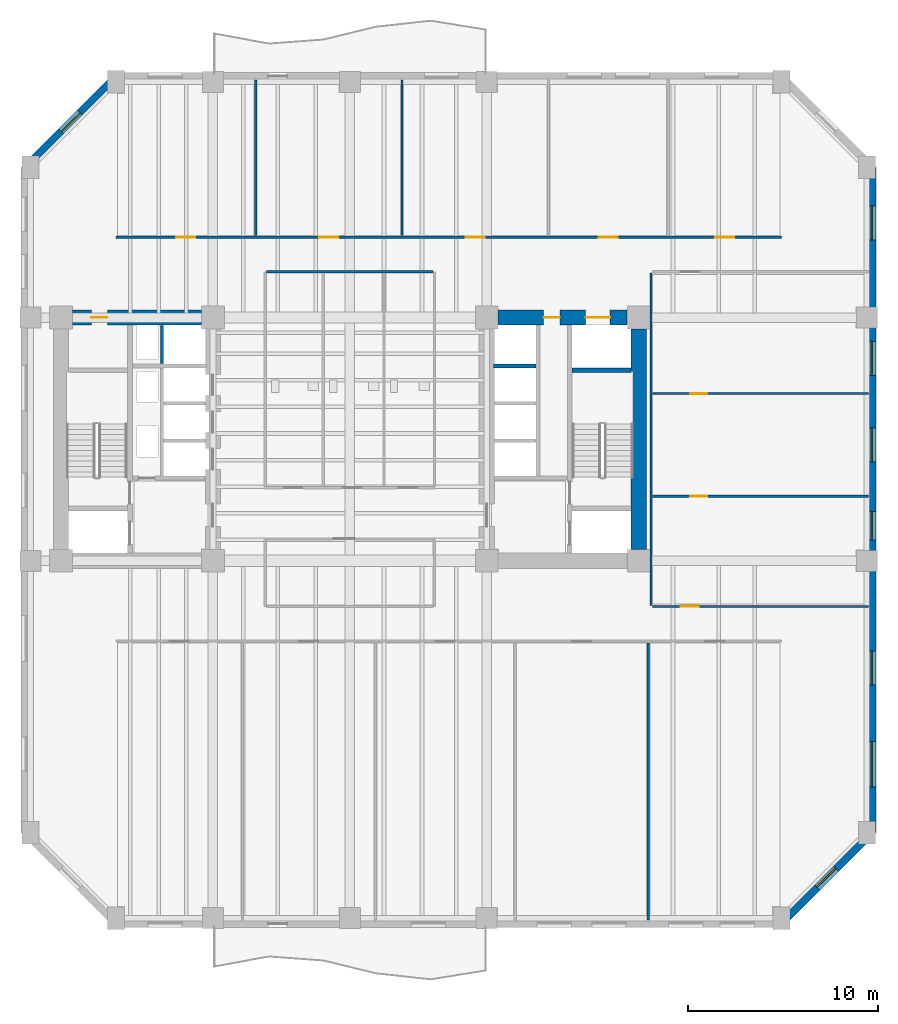
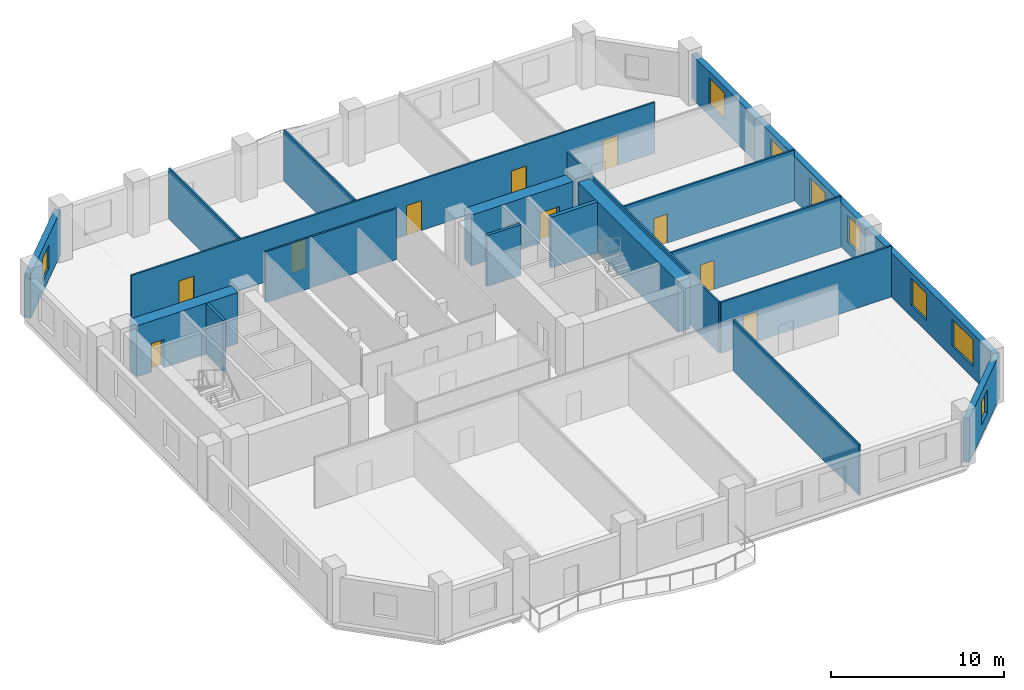
# One storey, part 4 of 9: 18 walls, 11 doors, 8 windows, 19 openings.
"""IFC4 building model written with IfcOpenShell, lengths in metres."""

from ifc_helpers import new_model, si_unit, direction, frame, frame_2d, origin, place, context, subcontext, project, spatial, rectangle, extrude, material, layer, layer_set, type_object, element, fill, save


model = new_model("IFC4")

# Units and contexts
model_context = context("Model", 3, precision=1e-05, world=origin(), true_north=direction((0.0, 1.0)))
body_context = subcontext(model_context, "Body", "Model", "MODEL_VIEW")
ifc_project = project(units=[si_unit("LENGTHUNIT", "METRE"), si_unit("AREAUNIT", "SQUARE_METRE"), si_unit("VOLUMEUNIT", "CUBIC_METRE"), si_unit("PLANEANGLEUNIT", "RADIAN"), si_unit("MASSUNIT", "GRAM", prefix="KILO")], contexts=[model_context])

# Site, building, storey
site_placement = place(None, origin())
site = spatial("IfcSite", under=ifc_project, at=site_placement, CompositionType="ELEMENT")
building_placement = place(site_placement, origin())
building = spatial("IfcBuilding", under=site, at=building_placement, Name="Kranthara Brick Stack", CompositionType="ELEMENT")
storey_placement = place(building_placement, frame((0.0, 0.0, 59.39990234375)))
storey = spatial("IfcBuildingStorey", under=building, at=storey_placement, Name="L14", CompositionType="ELEMENT", Elevation=59.39990234375)

# Wall, opening, window
ifc_material_1 = material(Name="Kiln-fired clay brick masonry M15", Category="masonry")
ifc_layer_1 = layer(ifc_material_1, 0.3798828125)
ifc_layer_set_1 = layer_set([ifc_layer_1], Name="Kiln-fired clay brick masonry M15")
wall_type_1 = type_object("IfcWallType", Name="WL-BRK-PIER-380", PredefinedType="STANDARD", material=ifc_layer_set_1)
wall_1_placement = place(storey_placement, frame((10.909912109375, 41.5, 0.0), z_axis=(0.0, 0.0, 1.0), x_axis=(0.707106781187, 0.707106781187, 0.0)))
wall_1 = element("IfcWall", 1, at=wall_1_placement, inside=storey, type_object=wall_type_1, Name="L14 Exterior Brick Facade Wall NW 1", PredefinedType="STANDARD", context=body_context, shape_type="SweptSolid", body=[
    extrude(rectangle(XDim=6.774169921875, YDim=0.3798828125, at=frame_2d((3.38720703125, 0.0))), origin(), (0.0, 0.0, 1.0), 3.135009765625),
])
opening_1_placement = place(wall_1_placement, frame((2.68701171875, 0.0, 0.800048828125)))
opening_1 = element("IfcOpeningElement", 2, at=opening_1_placement, cuts=wall_1, Name="Opening WN10", PredefinedType="OPENING", context=body_context, shape_type="SweptSolid", body=[
    extrude(rectangle(XDim=1.39990234375, YDim=1.64990234375, at=frame_2d((0.699951171875, 0.824951171875))), frame((0.0, 0.199951171875, 0.0), z_axis=(0.0, -1.0, 0.0), x_axis=(1.0, 0.0, 0.0)), (0.0, 0.0, 1.0), 0.39990234375),
])
ifc_material_2 = material(Name="Double-glazed low-E solar control glass", Category="glass")
window_type_1 = type_object("IfcWindowType", Name="WN-CHM-1400x1750", PartitioningType="SINGLE_PANEL", PredefinedType="WINDOW", material=ifc_material_2)
window_1_placement = place(opening_1_placement, origin())
window_1 = element("IfcWindow", 3, at=window_1_placement, inside=storey, type_object=window_type_1, Name="L14 NW Chamfer Corner Window", OverallHeight=1.64990234375, OverallWidth=1.39990234375, PartitioningType="SINGLE_PANEL", PredefinedType="WINDOW", context=body_context, shape_type="SweptSolid", body=[
    extrude(rectangle(XDim=1.39990234375, YDim=1.64990234375, at=frame_2d((0.699951171875, 0.824951171875))), frame((0.0, -0.010009765625, 0.0), z_axis=(0.0, -1.0, 0.0), x_axis=(1.0, 0.0, 0.0)), (0.0, 0.0, 1.0), 0.06005859375),
])
fill(opening_1, window_1)

# Wall, openings, windows
wall_2_placement = place(storey_placement, frame((55.489990234375, 41.5, 0.0), z_axis=(0.0, 0.0, 1.0), x_axis=(0.0, -1.0, 0.0)))
wall_2 = element("IfcWall", 4, at=wall_2_placement, inside=storey, type_object=wall_type_1, Name="L14 Exterior Brick Facade Wall EAST 1", PredefinedType="STANDARD", context=body_context, shape_type="SweptSolid", body=[
    extrude(rectangle(XDim=35.0, YDim=0.3798828125, at=frame_2d((17.5, 0.0))), origin(), (0.0, 0.0, 1.0), 3.135009765625),
])
opening_2_placement = place(wall_2_placement, frame((2.02490234375, 0.0, 0.800048828125)))
opening_2 = element("IfcOpeningElement", 5, at=opening_2_placement, cuts=wall_2, Name="Opening WN01", PredefinedType="OPENING", context=body_context, shape_type="SweptSolid", body=[
    extrude(rectangle(XDim=1.800048828125, YDim=1.89990234375, at=frame_2d((0.89990234375, 0.949951171875))), frame((0.0, 0.199951171875, 0.0), z_axis=(0.0, -1.0, 0.0), x_axis=(1.0, 0.0, 0.0)), (0.0, 0.0, 1.0), 0.39990234375),
])
opening_3_placement = place(wall_2_placement, frame((9.14990234375, 0.0, 0.800048828125)))
opening_3 = element("IfcOpeningElement", 6, at=opening_3_placement, cuts=wall_2, Name="Opening WN01", PredefinedType="OPENING", context=body_context, shape_type="SweptSolid", body=[
    extrude(rectangle(XDim=1.800048828125, YDim=1.89990234375, at=frame_2d((0.89990234375, 0.949951171875))), frame((0.0, 0.199951171875, 0.0), z_axis=(0.0, -1.0, 0.0), x_axis=(1.0, 0.0, 0.0)), (0.0, 0.0, 1.0), 0.39990234375),
])
opening_4_placement = place(wall_2_placement, frame((13.699951171875, 0.0, 0.800048828125)))
opening_4 = element("IfcOpeningElement", 7, at=opening_4_placement, cuts=wall_2, Name="Opening WN01", PredefinedType="OPENING", context=body_context, shape_type="SweptSolid", body=[
    extrude(rectangle(XDim=1.800048828125, YDim=1.89990234375, at=frame_2d((0.89990234375, 0.949951171875))), frame((0.0, 0.199951171875, 0.0), z_axis=(0.0, -1.0, 0.0), x_axis=(1.0, 0.0, 0.0)), (0.0, 0.0, 1.0), 0.39990234375),
])
opening_5_placement = place(wall_2_placement, frame((18.10009765625, 0.0, 0.800048828125)))
opening_5 = element("IfcOpeningElement", 8, at=opening_5_placement, cuts=wall_2, Name="Opening WN03", PredefinedType="OPENING", context=body_context, shape_type="SweptSolid", body=[
    extrude(rectangle(XDim=1.5, YDim=1.89990234375, at=frame_2d((0.75, 0.949951171875))), frame((0.0, 0.199951171875, 0.0), z_axis=(0.0, -1.0, 0.0), x_axis=(1.0, 0.0, 0.0)), (0.0, 0.0, 1.0), 0.39990234375),
])
opening_6_placement = place(wall_2_placement, frame((25.443115234375, 0.0, 0.800048828125)))
opening_6 = element("IfcOpeningElement", 9, at=opening_6_placement, cuts=wall_2, Name="Opening WN01", PredefinedType="OPENING", context=body_context, shape_type="SweptSolid", body=[
    extrude(rectangle(XDim=1.800048828125, YDim=1.89990234375, at=frame_2d((0.89990234375, 0.949951171875))), frame((0.0, 0.199951171875, 0.0), z_axis=(0.0, -1.0, 0.0), x_axis=(1.0, 0.0, 0.0)), (0.0, 0.0, 1.0), 0.39990234375),
])
opening_7_placement = place(wall_2_placement, frame((30.20703125, 0.0, 0.800048828125)))
opening_7 = element("IfcOpeningElement", 10, at=opening_7_placement, cuts=wall_2, Name="Opening WN02", PredefinedType="OPENING", context=body_context, shape_type="SweptSolid", body=[
    extrude(rectangle(XDim=2.39990234375, YDim=1.89990234375, at=frame_2d((1.199951171875, 0.949951171875))), frame((0.0, 0.199951171875, 0.0), z_axis=(0.0, -1.0, 0.0), x_axis=(1.0, 0.0, 0.0)), (0.0, 0.0, 1.0), 0.39990234375),
])
ifc_material_3 = material(Name="Double-glazed low-E solar control glass", Category="glass")
window_type_2 = type_object("IfcWindowType", Name="WN-OFF-1500x2000", PartitioningType="SINGLE_PANEL", PredefinedType="WINDOW", material=ifc_material_3)
window_2_placement = place(opening_5_placement, origin())
window_2 = element("IfcWindow", 11, at=window_2_placement, inside=storey, type_object=window_type_2, Name="L14 East Deep-Set Brick Window 04", OverallHeight=1.89990234375, OverallWidth=1.5, PartitioningType="SINGLE_PANEL", PredefinedType="WINDOW", context=body_context, shape_type="SweptSolid", body=[
    extrude(rectangle(XDim=1.5, YDim=1.89990234375, at=frame_2d((0.75, 0.949951171875))), frame((0.0, -0.010009765625, 0.0), z_axis=(0.0, -1.0, 0.0), x_axis=(1.0, 0.0, 0.0)), (0.0, 0.0, 1.0), 0.06005859375),
])
fill(opening_5, window_2)
ifc_material_4 = material(Name="Double-glazed low-E solar control glass", Category="glass")
window_type_3 = type_object("IfcWindowType", Name="WN-OFF-1800x2000", PartitioningType="SINGLE_PANEL", PredefinedType="WINDOW", material=ifc_material_4)
window_3_placement = place(opening_2_placement, origin())
window_3 = element("IfcWindow", 12, at=window_3_placement, inside=storey, type_object=window_type_3, Name="L14 East Deep-Set Brick Window 01", OverallHeight=1.89990234375, OverallWidth=1.800048828125, PartitioningType="SINGLE_PANEL", PredefinedType="WINDOW", context=body_context, shape_type="SweptSolid", body=[
    extrude(rectangle(XDim=1.800048828125, YDim=1.89990234375, at=frame_2d((0.89990234375, 0.949951171875))), frame((0.0, -0.010009765625, 0.0), z_axis=(0.0, -1.0, 0.0), x_axis=(1.0, 0.0, 0.0)), (0.0, 0.0, 1.0), 0.06005859375),
])
fill(opening_2, window_3)
window_4_placement = place(opening_3_placement, origin())
window_4 = element("IfcWindow", 13, at=window_4_placement, inside=storey, type_object=window_type_3, Name="L14 East Deep-Set Brick Window 02", OverallHeight=1.89990234375, OverallWidth=1.800048828125, PartitioningType="SINGLE_PANEL", PredefinedType="WINDOW", context=body_context, shape_type="SweptSolid", body=[
    extrude(rectangle(XDim=1.800048828125, YDim=1.89990234375, at=frame_2d((0.89990234375, 0.949951171875))), frame((0.0, -0.010009765625, 0.0), z_axis=(0.0, -1.0, 0.0), x_axis=(1.0, 0.0, 0.0)), (0.0, 0.0, 1.0), 0.06005859375),
])
fill(opening_3, window_4)
window_5_placement = place(opening_4_placement, origin())
window_5 = element("IfcWindow", 14, at=window_5_placement, inside=storey, type_object=window_type_3, Name="L14 East Deep-Set Brick Window 03", OverallHeight=1.89990234375, OverallWidth=1.800048828125, PartitioningType="SINGLE_PANEL", PredefinedType="WINDOW", context=body_context, shape_type="SweptSolid", body=[
    extrude(rectangle(XDim=1.800048828125, YDim=1.89990234375, at=frame_2d((0.89990234375, 0.949951171875))), frame((0.0, -0.010009765625, 0.0), z_axis=(0.0, -1.0, 0.0), x_axis=(1.0, 0.0, 0.0)), (0.0, 0.0, 1.0), 0.06005859375),
])
fill(opening_4, window_5)
window_6_placement = place(opening_6_placement, origin())
window_6 = element("IfcWindow", 15, at=window_6_placement, inside=storey, type_object=window_type_3, Name="L14 East Deep-Set Brick Window 05", OverallHeight=1.89990234375, OverallWidth=1.800048828125, PartitioningType="SINGLE_PANEL", PredefinedType="WINDOW", context=body_context, shape_type="SweptSolid", body=[
    extrude(rectangle(XDim=1.800048828125, YDim=1.89990234375, at=frame_2d((0.89990234375, 0.949951171875))), frame((0.0, -0.010009765625, 0.0), z_axis=(0.0, -1.0, 0.0), x_axis=(1.0, 0.0, 0.0)), (0.0, 0.0, 1.0), 0.06005859375),
])
fill(opening_6, window_6)
ifc_material_5 = material(Name="Double-glazed low-E solar control glass", Category="glass")
window_type_4 = type_object("IfcWindowType", Name="WN-OFF-2400x2000", PartitioningType="DOUBLE_PANEL_VERTICAL", PredefinedType="WINDOW", material=ifc_material_5)
window_7_placement = place(opening_7_placement, origin())
window_7 = element("IfcWindow", 16, at=window_7_placement, inside=storey, type_object=window_type_4, Name="L14 East Deep-Set Brick Window 06", OverallHeight=1.89990234375, OverallWidth=2.39990234375, PartitioningType="SINGLE_PANEL", PredefinedType="WINDOW", context=body_context, shape_type="SweptSolid", body=[
    extrude(rectangle(XDim=2.39990234375, YDim=1.89990234375, at=frame_2d((1.199951171875, 0.949951171875))), frame((0.0, -0.010009765625, 0.0), z_axis=(0.0, -1.0, 0.0), x_axis=(1.0, 0.0, 0.0)), (0.0, 0.0, 1.0), 0.06005859375),
])
fill(opening_7, window_7)

# Wall, opening, window
wall_3_placement = place(storey_placement, frame((55.489990234375, 6.5, 0.0), z_axis=(0.0, 0.0, 1.0), x_axis=(-0.707106781187, -0.707106781187, 0.0)))
wall_3 = element("IfcWall", 17, at=wall_3_placement, inside=storey, type_object=wall_type_1, Name="L14 Exterior Brick Facade Wall SE 1", PredefinedType="STANDARD", context=body_context, shape_type="SweptSolid", body=[
    extrude(rectangle(XDim=6.774169921875, YDim=0.3798828125, at=frame_2d((3.38720703125, 0.0))), origin(), (0.0, 0.0, 1.0), 3.135009765625),
])
opening_8_placement = place(wall_3_placement, frame((2.68701171875, 0.0, 0.800048828125)))
opening_8 = element("IfcOpeningElement", 18, at=opening_8_placement, cuts=wall_3, Name="Opening WN10", PredefinedType="OPENING", context=body_context, shape_type="SweptSolid", body=[
    extrude(rectangle(XDim=1.39990234375, YDim=1.64990234375, at=frame_2d((0.699951171875, 0.824951171875))), frame((0.0, 0.199951171875, 0.0), z_axis=(0.0, -1.0, 0.0), x_axis=(1.0, 0.0, 0.0)), (0.0, 0.0, 1.0), 0.39990234375),
])
window_8_placement = place(opening_8_placement, origin())
window_8 = element("IfcWindow", 19, at=window_8_placement, inside=storey, type_object=window_type_1, Name="L14 SE Chamfer Corner Window", OverallHeight=1.64990234375, OverallWidth=1.39990234375, PartitioningType="SINGLE_PANEL", PredefinedType="WINDOW", context=body_context, shape_type="SweptSolid", body=[
    extrude(rectangle(XDim=1.39990234375, YDim=1.64990234375, at=frame_2d((0.699951171875, 0.824951171875))), frame((0.0, -0.010009765625, 0.0), z_axis=(0.0, -1.0, 0.0), x_axis=(1.0, 0.0, 0.0)), (0.0, 0.0, 1.0), 0.06005859375),
])
fill(opening_8, window_8)

# Wall
ifc_material_6 = material(Name="Concrete C50/60", Category="concrete")
ifc_layer_2 = layer(ifc_material_6, 0.25)
ifc_layer_set_2 = layer_set([ifc_layer_2], Name="Concrete C50/60")
wall_type_2 = type_object("IfcWallType", Name="WL-CORE-250", PredefinedType="SHEAR", material=ifc_layer_set_2)
wall_4_placement = place(storey_placement, frame((39.68994140625, 30.830078125, 0.0), z_axis=(0.0, 0.0, 1.0), x_axis=(1.0, 0.0, 0.0)))
element("IfcWall", 20, at=wall_4_placement, inside=storey, type_object=wall_type_2, Name="L14 East Stairwell Bearing Wall EST", PredefinedType="SHEAR", context=body_context, shape_type="SweptSolid", body=[
    extrude(rectangle(XDim=3.10009765625, YDim=0.25, at=frame_2d((1.550048828125, 0.0))), origin(), (0.0, 0.0, 1.0), 3.60009765625),
])

# Wall, opening, door
ifc_material_7 = material(Name="Concrete C70/85", Category="concrete")
ifc_layer_3 = layer(ifc_material_7, 0.800048828125)
ifc_layer_set_3 = layer_set([ifc_layer_3], Name="Concrete C70/85")
wall_type_3 = type_object("IfcWallType", Name="WL-CORE-800", PredefinedType="SHEAR", material=ifc_layer_set_3)
wall_5_placement = place(storey_placement, frame((13.405029296875, 33.60009765625, 0.0), z_axis=(0.0, 0.0, 1.0), x_axis=(1.0, 0.0, 0.0)))
wall_5 = element("IfcWall", 21, at=wall_5_placement, inside=storey, type_object=wall_type_3, Name="L14 West Core Shear Wall North", PredefinedType="SHEAR", context=body_context, shape_type="SweptSolid", body=[
    extrude(rectangle(XDim=6.7900390625, YDim=0.800048828125, at=frame_2d((3.39501953125, 0.0))), origin(), (0.0, 0.0, 1.0), 3.60009765625),
])
opening_9_placement = place(wall_5_placement, frame((0.9951171875, 0.0, 0.0)))
opening_9 = element("IfcOpeningElement", 22, at=opening_9_placement, cuts=wall_5, Name="Opening D10", PredefinedType="OPENING", context=body_context, shape_type="SweptSolid", body=[
    extrude(rectangle(XDim=0.85009765625, YDim=2.02001953125, at=frame_2d((0.425048828125, 1.010009765625))), frame((0.0, 0.409912109375, 0.0), z_axis=(0.0, -1.0, 0.0), x_axis=(1.0, 0.0, 0.0)), (0.0, 0.0, 1.0), 0.820068359375),
])
ifc_material_8 = material(Name="Solid-core hardwood timber leaf in steel frame", Category="steel")
door_type_1 = type_object("IfcDoorType", Name="DR-RSR-850", OperationType="NOTDEFINED", PredefinedType="DOOR", material=ifc_material_8)
door_1_placement = place(opening_9_placement, origin())
door_1 = element("IfcDoor", 23, at=door_1_placement, inside=storey, type_object=door_type_1, Name="L14 West Core Service Door 1", OperationType="SINGLE_SWING_LEFT", OverallHeight=2.02001953125, OverallWidth=0.85009765625, PredefinedType="DOOR", context=body_context, shape_type="SweptSolid", body=[
    extrude(rectangle(XDim=0.85009765625, YDim=2.02001953125, at=frame_2d((0.425048828125, 1.010009765625))), frame((0.0, 0.02490234375, 0.0), z_axis=(0.0, -1.0, 0.0), x_axis=(1.0, 0.0, 0.0)), (0.0, 0.0, 1.0), 0.050048828125),
])
fill(opening_9, door_1)

# Wall
wall_6_placement = place(storey_placement, frame((43.199951171875, 21.405029296875, 0.0), z_axis=(0.0, 0.0, 1.0), x_axis=(0.0, 1.0, 0.0)))
element("IfcWall", 24, at=wall_6_placement, inside=storey, type_object=wall_type_3, Name="L14 East Core Shear Wall East", PredefinedType="SHEAR", context=body_context, shape_type="SweptSolid", body=[
    extrude(rectangle(XDim=11.590087890625, YDim=0.800048828125, at=frame_2d((5.794921875, 0.0))), origin(), (0.0, 0.0, 1.0), 3.60009765625),
])

# Wall, openings, doors
wall_7_placement = place(storey_placement, frame((35.804931640625, 33.60009765625, 0.0), z_axis=(0.0, 0.0, 1.0), x_axis=(1.0, 0.0, 0.0)))
wall_7 = element("IfcWall", 25, at=wall_7_placement, inside=storey, type_object=wall_type_3, Name="L14 East Core Shear Wall North", PredefinedType="SHEAR", context=body_context, shape_type="SweptSolid", body=[
    extrude(rectangle(XDim=6.7900390625, YDim=0.800048828125, at=frame_2d((3.39501953125, 0.0))), origin(), (0.0, 0.0, 1.0), 3.60009765625),
])
opening_10_placement = place(wall_7_placement, frame((4.594970703125, 0.0, 0.0)))
opening_10 = element("IfcOpeningElement", 26, at=opening_10_placement, cuts=wall_7, Name="Opening LD03", PredefinedType="OPENING", context=body_context, shape_type="SweptSolid", body=[
    extrude(rectangle(XDim=1.300048828125, YDim=2.14990234375, at=frame_2d((0.64990234375, 1.074951171875))), frame((0.0, 0.409912109375, 0.0), z_axis=(0.0, -1.0, 0.0), x_axis=(1.0, 0.0, 0.0)), (0.0, 0.0, 1.0), 0.820068359375),
])
opening_11_placement = place(wall_7_placement, frame((2.39501953125, 0.0, 0.0)))
opening_11 = element("IfcOpeningElement", 27, at=opening_11_placement, cuts=wall_7, Name="Opening D10", PredefinedType="OPENING", context=body_context, shape_type="SweptSolid", body=[
    extrude(rectangle(XDim=0.85009765625, YDim=2.02001953125, at=frame_2d((0.425048828125, 1.010009765625))), frame((0.0, 0.409912109375, 0.0), z_axis=(0.0, -1.0, 0.0), x_axis=(1.0, 0.0, 0.0)), (0.0, 0.0, 1.0), 0.820068359375),
])
ifc_material_9 = material(Name="Stainless steel sliding landing door", Category="steel")
door_type_2 = type_object("IfcDoorType", Name="DR-LD-SV1300", OperationType="DOUBLE_DOOR_SLIDING", PredefinedType="DOOR", material=ifc_material_9)
door_2_placement = place(opening_10_placement, origin())
door_2 = element("IfcDoor", 28, at=door_2_placement, inside=storey, type_object=door_type_2, Name="L14 Stretcher Service Lift SV-01 Landing Door", OperationType="DOUBLE_DOOR_SLIDING", OverallHeight=2.14990234375, OverallWidth=1.300048828125, PredefinedType="DOOR", context=body_context, shape_type="SweptSolid", body=[
    extrude(rectangle(XDim=1.300048828125, YDim=2.14990234375, at=frame_2d((0.64990234375, 1.074951171875))), frame((0.0, 0.02490234375, 0.0), z_axis=(0.0, -1.0, 0.0), x_axis=(1.0, 0.0, 0.0)), (0.0, 0.0, 1.0), 0.050048828125),
])
fill(opening_10, door_2)
door_3_placement = place(opening_11_placement, origin())
door_3 = element("IfcDoor", 29, at=door_3_placement, inside=storey, type_object=door_type_1, Name="L14 East Core Service Room Door", OperationType="SINGLE_SWING_LEFT", OverallHeight=2.02001953125, OverallWidth=0.85009765625, PredefinedType="DOOR", context=body_context, shape_type="SweptSolid", body=[
    extrude(rectangle(XDim=0.85009765625, YDim=2.02001953125, at=frame_2d((0.425048828125, 1.010009765625))), frame((0.0, 0.02490234375, 0.0), z_axis=(0.0, -1.0, 0.0), x_axis=(1.0, 0.0, 0.0)), (0.0, 0.0, 1.0), 0.050048828125),
])
fill(opening_11, door_3)

# Walls
ifc_material_10 = material(Name="Acoustic gypsum plasterboard partition", Category="other")
ifc_layer_4 = layer(ifc_material_10, 0.1201171875)
ifc_layer_set_4 = layer_set([ifc_layer_4], Name="Acoustic gypsum plasterboard partition")
wall_type_4 = type_object("IfcWallType", Name="WL-PART-120", PredefinedType="PARTITIONING", material=ifc_layer_set_4)
wall_8_placement = place(storey_placement, frame((23.614990234375, 36.0, 0.0), z_axis=(0.0, 0.0, 1.0), x_axis=(1.0, 0.0, 0.0)))
element("IfcWall", 30, at=wall_8_placement, inside=storey, type_object=wall_type_4, Name="L14 Interior Partition 006", PredefinedType="PARTITIONING", context=body_context, shape_type="SweptSolid", body=[
    extrude(rectangle(XDim=8.77001953125, YDim=0.1201171875, at=frame_2d((4.385009765625, 0.0))), origin(), (0.0, 0.0, 1.0), 3.60009765625),
])
wall_9_placement = place(storey_placement, frame((43.699951171875, 1.905029296875, 0.0), z_axis=(0.0, 0.0, 1.0), x_axis=(0.0, 1.0, 0.0)))
element("IfcWall", 31, at=wall_9_placement, inside=storey, type_object=wall_type_4, Name="L14 Interior Partition 015", PredefinedType="PARTITIONING", context=body_context, shape_type="SweptSolid", body=[
    extrude(rectangle(XDim=14.574951171875, YDim=0.1201171875, at=frame_2d((7.28759765625, 0.0))), origin(), (0.0, 0.0, 1.0), 3.60009765625),
])

# Wall, openings, doors
wall_10_placement = place(storey_placement, frame((15.699951171875, 37.820068359375, 0.0), z_axis=(0.0, 0.0, 1.0), x_axis=(1.0, 0.0, 0.0)))
wall_10 = element("IfcWall", 32, at=wall_10_placement, inside=storey, type_object=wall_type_4, Name="L14 Interior Partition 016", PredefinedType="PARTITIONING", context=body_context, shape_type="SweptSolid", body=[
    extrude(rectangle(XDim=35.0, YDim=0.1201171875, at=frame_2d((17.5, 0.0))), origin(), (0.0, 0.0, 1.0), 3.60009765625),
])
opening_12_placement = place(wall_10_placement, frame((3.175048828125, 0.0, 0.0)))
opening_12 = element("IfcOpeningElement", 33, at=opening_12_placement, cuts=wall_10, Name="Opening D13", PredefinedType="OPENING", context=body_context, shape_type="SweptSolid", body=[
    extrude(rectangle(XDim=1.0, YDim=2.10009765625, at=frame_2d((0.5, 1.050048828125))), frame((0.0, 0.070068359375, 0.0), z_axis=(0.0, -1.0, 0.0), x_axis=(1.0, 0.0, 0.0)), (0.0, 0.0, 1.0), 0.14013671875),
])
opening_13_placement = place(wall_10_placement, frame((10.699951171875, 0.0, 0.0)))
opening_13 = element("IfcOpeningElement", 34, at=opening_13_placement, cuts=wall_10, Name="Opening D13", PredefinedType="OPENING", context=body_context, shape_type="SweptSolid", body=[
    extrude(rectangle(XDim=1.0, YDim=2.10009765625, at=frame_2d((0.5, 1.050048828125))), frame((0.0, 0.070068359375, 0.0), z_axis=(0.0, -1.0, 0.0), x_axis=(1.0, 0.0, 0.0)), (0.0, 0.0, 1.0), 0.14013671875),
])
opening_14_placement = place(wall_10_placement, frame((18.39990234375, 0.0, 0.0)))
opening_14 = element("IfcOpeningElement", 35, at=opening_14_placement, cuts=wall_10, Name="Opening D13", PredefinedType="OPENING", context=body_context, shape_type="SweptSolid", body=[
    extrude(rectangle(XDim=1.0, YDim=2.10009765625, at=frame_2d((0.5, 1.050048828125))), frame((0.0, 0.070068359375, 0.0), z_axis=(0.0, -1.0, 0.0), x_axis=(1.0, 0.0, 0.0)), (0.0, 0.0, 1.0), 0.14013671875),
])
opening_15_placement = place(wall_10_placement, frame((25.39990234375, 0.0, 0.0)))
opening_15 = element("IfcOpeningElement", 36, at=opening_15_placement, cuts=wall_10, Name="Opening D13", PredefinedType="OPENING", context=body_context, shape_type="SweptSolid", body=[
    extrude(rectangle(XDim=1.0, YDim=2.10009765625, at=frame_2d((0.5, 1.050048828125))), frame((0.0, 0.070068359375, 0.0), z_axis=(0.0, -1.0, 0.0), x_axis=(1.0, 0.0, 0.0)), (0.0, 0.0, 1.0), 0.14013671875),
])
opening_16_placement = place(wall_10_placement, frame((31.52490234375, 0.0, 0.0)))
opening_16 = element("IfcOpeningElement", 37, at=opening_16_placement, cuts=wall_10, Name="Opening D13", PredefinedType="OPENING", context=body_context, shape_type="SweptSolid", body=[
    extrude(rectangle(XDim=1.0, YDim=2.10009765625, at=frame_2d((0.5, 1.050048828125))), frame((0.0, 0.070068359375, 0.0), z_axis=(0.0, -1.0, 0.0), x_axis=(1.0, 0.0, 0.0)), (0.0, 0.0, 1.0), 0.14013671875),
])
ifc_material_11 = material(Name="Solid-core hardwood timber leaf in steel frame", Category="steel")
door_type_3 = type_object("IfcDoorType", Name="DR-INT-1000", OperationType="NOTDEFINED", PredefinedType="DOOR", material=ifc_material_11)
door_4_placement = place(opening_12_placement, origin())
door_4 = element("IfcDoor", 38, at=door_4_placement, inside=storey, type_object=door_type_3, Name="L14 Meeting Room 10", OperationType="SINGLE_SWING_RIGHT", OverallHeight=2.10009765625, OverallWidth=1.0, PredefinedType="DOOR", context=body_context, shape_type="SweptSolid", body=[
    extrude(rectangle(XDim=1.0, YDim=2.10009765625, at=frame_2d((0.5, 1.050048828125))), frame((0.0, 0.02490234375, 0.0), z_axis=(0.0, -1.0, 0.0), x_axis=(1.0, 0.0, 0.0)), (0.0, 0.0, 1.0), 0.050048828125),
])
fill(opening_12, door_4)
door_5_placement = place(opening_13_placement, origin())
door_5 = element("IfcDoor", 39, at=door_5_placement, inside=storey, type_object=door_type_3, Name="L14 Meeting Room 11", OperationType="SINGLE_SWING_LEFT", OverallHeight=2.10009765625, OverallWidth=1.0, PredefinedType="DOOR", context=body_context, shape_type="SweptSolid", body=[
    extrude(rectangle(XDim=1.0, YDim=2.10009765625, at=frame_2d((0.5, 1.050048828125))), frame((0.0, 0.02490234375, 0.0), z_axis=(0.0, -1.0, 0.0), x_axis=(1.0, 0.0, 0.0)), (0.0, 0.0, 1.0), 0.050048828125),
])
fill(opening_13, door_5)
door_6_placement = place(opening_14_placement, origin())
door_6 = element("IfcDoor", 40, at=door_6_placement, inside=storey, type_object=door_type_3, Name="L14 Meeting Room 12", OperationType="SINGLE_SWING_RIGHT", OverallHeight=2.10009765625, OverallWidth=1.0, PredefinedType="DOOR", context=body_context, shape_type="SweptSolid", body=[
    extrude(rectangle(XDim=1.0, YDim=2.10009765625, at=frame_2d((0.5, 1.050048828125))), frame((0.0, 0.02490234375, 0.0), z_axis=(0.0, -1.0, 0.0), x_axis=(1.0, 0.0, 0.0)), (0.0, 0.0, 1.0), 0.050048828125),
])
fill(opening_14, door_6)
door_7_placement = place(opening_15_placement, origin())
door_7 = element("IfcDoor", 41, at=door_7_placement, inside=storey, type_object=door_type_3, Name="L14 Boardroom 13", OperationType="SINGLE_SWING_LEFT", OverallHeight=2.10009765625, OverallWidth=1.0, PredefinedType="DOOR", context=body_context, shape_type="SweptSolid", body=[
    extrude(rectangle(XDim=1.0, YDim=2.10009765625, at=frame_2d((0.5, 1.050048828125))), frame((0.0, 0.02490234375, 0.0), z_axis=(0.0, -1.0, 0.0), x_axis=(1.0, 0.0, 0.0)), (0.0, 0.0, 1.0), 0.050048828125),
])
fill(opening_15, door_7)
door_8_placement = place(opening_16_placement, origin())
door_8 = element("IfcDoor", 42, at=door_8_placement, inside=storey, type_object=door_type_3, Name="L14 Staff Pantry 14", OperationType="SINGLE_SWING_RIGHT", OverallHeight=2.10009765625, OverallWidth=1.0, PredefinedType="DOOR", context=body_context, shape_type="SweptSolid", body=[
    extrude(rectangle(XDim=1.0, YDim=2.10009765625, at=frame_2d((0.5, 1.050048828125))), frame((0.0, 0.02490234375, 0.0), z_axis=(0.0, -1.0, 0.0), x_axis=(1.0, 0.0, 0.0)), (0.0, 0.0, 1.0), 0.050048828125),
])
fill(opening_16, door_8)

# Walls
for number, where, z_axis, x_axis, name in (
    (43, (23.050048828125, 37.919921875, 0.0), (0.0, 0.0, 1.0), (0.0, 1.0, 0.0), "L14 Interior Partition 017"),
    (44, (30.75, 37.919921875, 0.0), (0.0, 0.0, 1.0), (0.0, 1.0, 0.0), "L14 Interior Partition 018"),
):
    element("IfcWall", number, at=place(storey_placement, frame(where, z_axis=z_axis, x_axis=x_axis)), inside=storey, type_object=wall_type_4, Name=name, PredefinedType="PARTITIONING", context=body_context, shape_type="SweptSolid", body=[
        extrude(rectangle(XDim=8.175048828125, YDim=0.1201171875, at=frame_2d((4.08740234375, 0.0))), origin(), (0.0, 0.0, 1.0), 3.60009765625),
    ])
wall_11_placement = place(storey_placement, frame((43.85009765625, 18.449951171875, 0.0), z_axis=(0.0, 0.0, 1.0), x_axis=(0.0, 1.0, 0.0)))
element("IfcWall", 45, at=wall_11_placement, inside=storey, type_object=wall_type_4, Name="L14 Interior Partition 021", PredefinedType="PARTITIONING", context=body_context, shape_type="SweptSolid", body=[
    extrude(rectangle(XDim=17.5, YDim=0.1201171875, at=frame_2d((8.75, 0.0))), origin(), (0.0, 0.0, 1.0), 3.60009765625),
])

# Wall, opening, door
wall_12_placement = place(storey_placement, frame((43.9150390625, 18.39990234375, 0.0), z_axis=(0.0, 0.0, 1.0), x_axis=(1.0, 0.0, 0.0)))
wall_12 = element("IfcWall", 46, at=wall_12_placement, inside=storey, type_object=wall_type_4, Name="L14 Interior Partition 022", PredefinedType="PARTITIONING", context=body_context, shape_type="SweptSolid", body=[
    extrude(rectangle(XDim=11.3798828125, YDim=0.1201171875, at=frame_2d((5.68994140625, 0.0))), origin(), (0.0, 0.0, 1.0), 3.60009765625),
])
opening_17_placement = place(wall_12_placement, frame((1.485107421875, 0.0, 0.0)))
opening_17 = element("IfcOpeningElement", 47, at=opening_17_placement, cuts=wall_12, Name="Opening D14", PredefinedType="OPENING", context=body_context, shape_type="SweptSolid", body=[
    extrude(rectangle(XDim=0.949951171875, YDim=2.10009765625, at=frame_2d((0.47509765625, 1.050048828125))), frame((0.0, 0.070068359375, 0.0), z_axis=(0.0, -1.0, 0.0), x_axis=(1.0, 0.0, 0.0)), (0.0, 0.0, 1.0), 0.14013671875),
])
ifc_material_12 = material(Name="Solid-core hardwood timber leaf in steel frame", Category="steel")
door_type_4 = type_object("IfcDoorType", Name="DR-INT-950", OperationType="NOTDEFINED", PredefinedType="DOOR", material=ifc_material_12)
door_9_placement = place(opening_17_placement, origin())
door_9 = element("IfcDoor", 48, at=door_9_placement, inside=storey, type_object=door_type_4, Name="L14 East South Office 17", OperationType="SINGLE_SWING_LEFT", OverallHeight=2.10009765625, OverallWidth=0.949951171875, PredefinedType="DOOR", context=body_context, shape_type="SweptSolid", body=[
    extrude(rectangle(XDim=0.949951171875, YDim=2.10009765625, at=frame_2d((0.47509765625, 1.050048828125))), frame((0.0, 0.02490234375, 0.0), z_axis=(0.0, -1.0, 0.0), x_axis=(1.0, 0.0, 0.0)), (0.0, 0.0, 1.0), 0.050048828125),
])
fill(opening_17, door_9)

wall_13_placement = place(storey_placement, frame((43.9150390625, 24.199951171875, 0.0), z_axis=(0.0, 0.0, 1.0), x_axis=(1.0, 0.0, 0.0)))
wall_13 = element("IfcWall", 49, at=wall_13_placement, inside=storey, type_object=wall_type_4, Name="L14 Interior Partition 024", PredefinedType="PARTITIONING", context=body_context, shape_type="SweptSolid", body=[
    extrude(rectangle(XDim=11.3798828125, YDim=0.1201171875, at=frame_2d((5.68994140625, 0.0))), origin(), (0.0, 0.0, 1.0), 3.60009765625),
])
opening_18_placement = place(wall_13_placement, frame((1.985107421875, 0.0, 0.0)))
opening_18 = element("IfcOpeningElement", 50, at=opening_18_placement, cuts=wall_13, Name="Opening D15", PredefinedType="OPENING", context=body_context, shape_type="SweptSolid", body=[
    extrude(rectangle(XDim=0.89990234375, YDim=2.050048828125, at=frame_2d((0.449951171875, 1.02490234375))), frame((0.0, 0.070068359375, 0.0), z_axis=(0.0, -1.0, 0.0), x_axis=(1.0, 0.0, 0.0)), (0.0, 0.0, 1.0), 0.14013671875),
])
ifc_material_13 = material(Name="Solid-core hardwood timber leaf in steel frame", Category="steel")
door_type_5 = type_object("IfcDoorType", Name="DR-INT-900", OperationType="NOTDEFINED", PredefinedType="DOOR", material=ifc_material_13)
door_10_placement = place(opening_18_placement, origin())
door_10 = element("IfcDoor", 51, at=door_10_placement, inside=storey, type_object=door_type_5, Name="L14 East Inner Suite Door 15", OperationType="SINGLE_SWING_LEFT", OverallHeight=2.050048828125, OverallWidth=0.89990234375, PredefinedType="DOOR", context=body_context, shape_type="SweptSolid", body=[
    extrude(rectangle(XDim=0.89990234375, YDim=2.050048828125, at=frame_2d((0.449951171875, 1.02490234375))), frame((0.0, 0.02490234375, 0.0), z_axis=(0.0, -1.0, 0.0), x_axis=(1.0, 0.0, 0.0)), (0.0, 0.0, 1.0), 0.050048828125),
])
fill(opening_18, door_10)

wall_14_placement = place(storey_placement, frame((43.9150390625, 29.60009765625, 0.0), z_axis=(0.0, 0.0, 1.0), x_axis=(1.0, 0.0, 0.0)))
wall_14 = element("IfcWall", 52, at=wall_14_placement, inside=storey, type_object=wall_type_4, Name="L14 Interior Partition 025", PredefinedType="PARTITIONING", context=body_context, shape_type="SweptSolid", body=[
    extrude(rectangle(XDim=11.3798828125, YDim=0.1201171875, at=frame_2d((5.68994140625, 0.0))), origin(), (0.0, 0.0, 1.0), 3.60009765625),
])
opening_19_placement = place(wall_14_placement, frame((1.985107421875, 0.0, 0.0)))
opening_19 = element("IfcOpeningElement", 53, at=opening_19_placement, cuts=wall_14, Name="Opening D15", PredefinedType="OPENING", context=body_context, shape_type="SweptSolid", body=[
    extrude(rectangle(XDim=0.89990234375, YDim=2.050048828125, at=frame_2d((0.449951171875, 1.02490234375))), frame((0.0, 0.070068359375, 0.0), z_axis=(0.0, -1.0, 0.0), x_axis=(1.0, 0.0, 0.0)), (0.0, 0.0, 1.0), 0.14013671875),
])
door_11_placement = place(opening_19_placement, origin())
door_11 = element("IfcDoor", 54, at=door_11_placement, inside=storey, type_object=door_type_5, Name="L14 East Inner Suite Door 16", OperationType="SINGLE_SWING_RIGHT", OverallHeight=2.050048828125, OverallWidth=0.89990234375, PredefinedType="DOOR", context=body_context, shape_type="SweptSolid", body=[
    extrude(rectangle(XDim=0.89990234375, YDim=2.050048828125, at=frame_2d((0.449951171875, 1.02490234375))), frame((0.0, 0.02490234375, 0.0), z_axis=(0.0, -1.0, 0.0), x_axis=(1.0, 0.0, 0.0)), (0.0, 0.0, 1.0), 0.050048828125),
])
fill(opening_19, door_11)

# Walls
ifc_material_14 = material(Name="Gypsum plasterboard on acoustic twin stud", Category="other")
ifc_layer_5 = layer(ifc_material_14, 0.179931640625)
ifc_layer_set_5 = layer_set([ifc_layer_5], Name="Gypsum plasterboard on acoustic twin stud")
wall_type_5 = type_object("IfcWallType", Name="WL-PART-180", PredefinedType="PARTITIONING", material=ifc_layer_set_5)
wall_15_placement = place(storey_placement, frame((18.1201171875, 31.169921875, 0.0), z_axis=(0.0, 0.0, 1.0), x_axis=(0.0, 1.0, 0.0)))
element("IfcWall", 55, at=wall_15_placement, inside=storey, type_object=wall_type_5, Name="L14 West Hoistway Wall WBK7", PredefinedType="PARTITIONING", context=body_context, shape_type="SweptSolid", body=[
    extrude(rectangle(XDim=2.02001953125, YDim=0.179931640625, at=frame_2d((1.010009765625, 0.0))), origin(), (0.0, 0.0, 1.0), 3.60009765625),
])
ifc_material_15 = material(Name="Concrete C40/50", Category="concrete")
ifc_layer_6 = layer(ifc_material_15, 0.199951171875)
ifc_layer_set_6 = layer_set([ifc_layer_6], Name="Concrete C40/50")
wall_type_6 = type_object("IfcWallType", Name="WL-PART-200", PredefinedType="SOLIDWALL", material=ifc_layer_set_6)
wall_16_placement = place(storey_placement, frame((35.550048828125, 31.050048828125, 0.0), z_axis=(0.0, 0.0, 1.0), x_axis=(1.0, 0.0, 0.0)))
element("IfcWall", 56, at=wall_16_placement, inside=storey, type_object=wall_type_6, Name="L14 East Core Cross Wall EE4", PredefinedType="SOLIDWALL", context=body_context, shape_type="SweptSolid", body=[
    extrude(rectangle(XDim=2.25, YDim=0.199951171875, at=frame_2d((1.125, 0.0))), origin(), (0.0, 0.0, 1.0), 3.60009765625),
])

save(model, "model.ifc")
